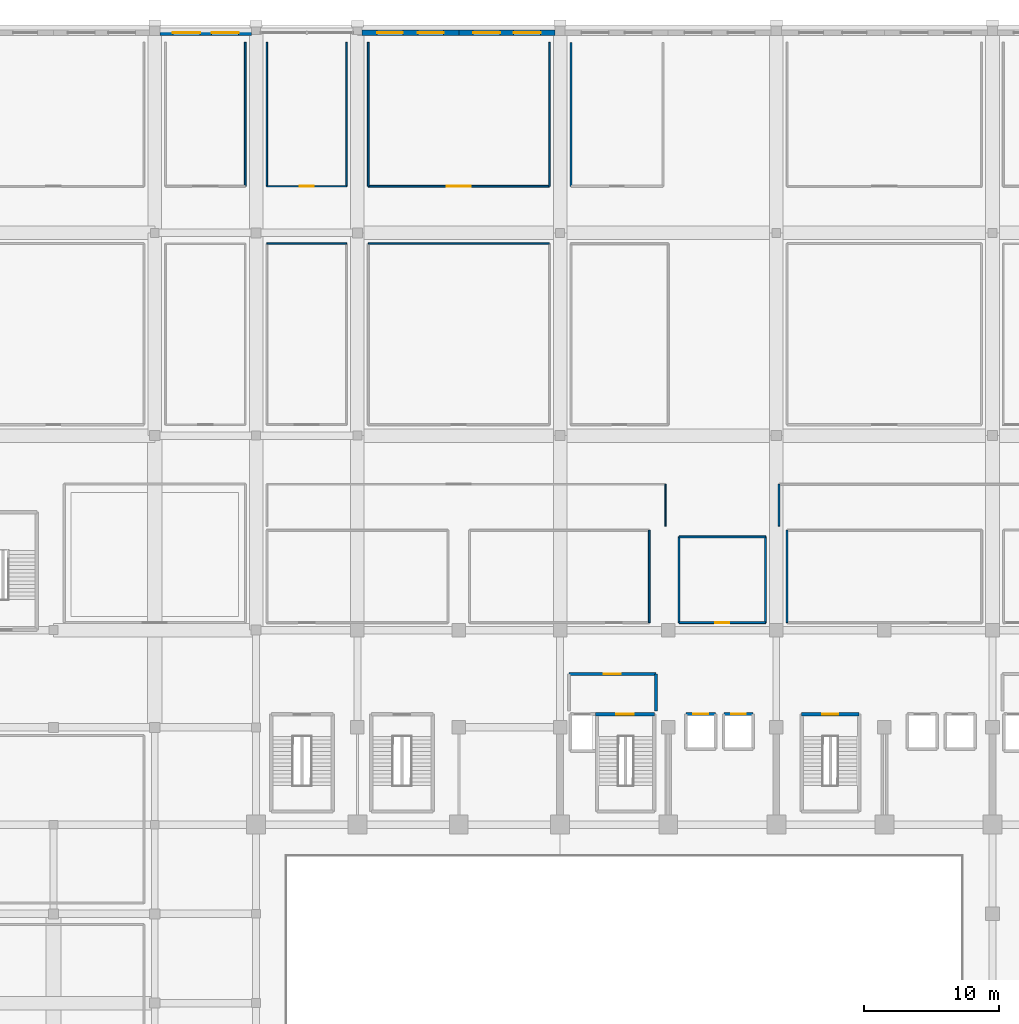
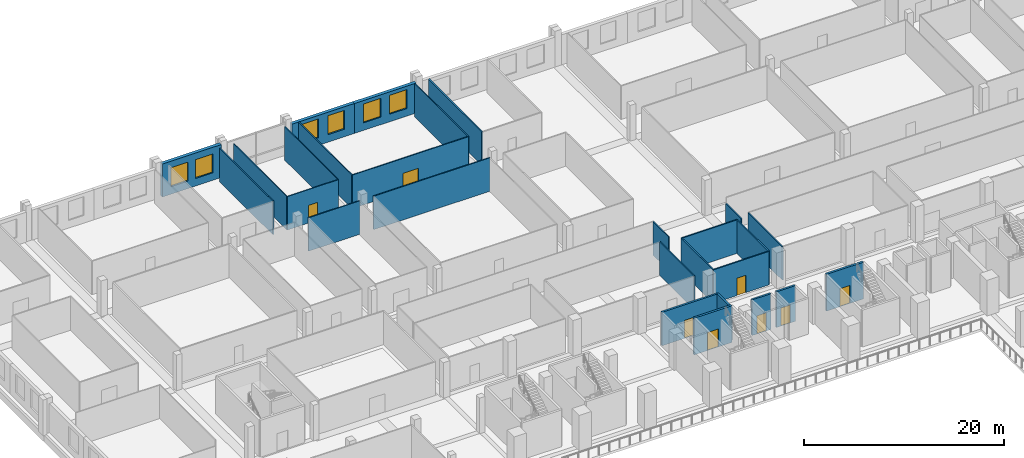
# One storey, part 46 of 64: 27 walls, 8 doors, 6 windows, 14 openings.
"""IFC4 building model written with IfcOpenShell, lengths in metres."""

from ifc_helpers import new_model, si_unit, direction, frame, frame_2d, origin, place, context, subcontext, project, spatial, rectangle, extrude, material, layer, layer_set, type_object, element, fill, save


model = new_model("IFC4")

# Units and contexts
model_context = context("Model", 3, precision=1e-05, world=origin(), true_north=direction((0.0, 1.0)))
body_context = subcontext(model_context, "Body", "Model", "MODEL_VIEW")
ifc_project = project(units=[si_unit("LENGTHUNIT", "METRE"), si_unit("AREAUNIT", "SQUARE_METRE"), si_unit("VOLUMEUNIT", "CUBIC_METRE"), si_unit("PLANEANGLEUNIT", "RADIAN"), si_unit("MASSUNIT", "GRAM", prefix="KILO")], contexts=[model_context])

# Site, building, storey
site_placement = place(None, origin())
site = spatial("IfcSite", under=ifc_project, at=site_placement, CompositionType="ELEMENT")
building_placement = place(site_placement, origin())
building = spatial("IfcBuilding", under=site, at=building_placement, Name="Akrevak Sports Hall", CompositionType="ELEMENT")
storey_placement = place(building_placement, frame((0.0, 0.0, 4.60009765625)))
storey = spatial("IfcBuildingStorey", under=building, at=storey_placement, Name="L01", CompositionType="ELEMENT", Elevation=4.60009765625)

# Wall, openings, windows
ifc_material_1 = material(Name="Limestone Ashlar", Category="stone")
ifc_layer_1 = layer(ifc_material_1, 0.080078125, Name="Limestone Ashlar")
ifc_material_2 = material(Name="Mineral Wool Thermal Insulation", Category="insulation")
ifc_layer_2 = layer(ifc_material_2, 0.10009765625, Name="Mineral Wool Thermal Insulation")
ifc_material_3 = material(Name="Concrete C40/50", Category="concrete")
ifc_layer_3 = layer(ifc_material_3, 0.199951171875, Name="Concrete C40/50")
ifc_layer_set_1 = layer_set([ifc_layer_1, ifc_layer_2, ifc_layer_3], Name="Limestone Ashlar / Mineral Wool Thermal Insulation / Concrete C40/50")
wall_type_1 = type_object("IfcWallType", Name="ARC-WL-EXT-380", PredefinedType="SOLIDWALL", material=ifc_layer_set_1)
wall_1_placement = place(storey_placement, frame((37.175048828125, 113.81005859375, 0.0), z_axis=(0.0, 0.0, 1.0), x_axis=(-1.0, 0.0, 0.0)))
wall_1 = element("IfcWall", 1, at=wall_1_placement, inside=storey, type_object=wall_type_1, Name="Exterior Limestone Wall L01-N05", PredefinedType="SOLIDWALL", context=body_context, shape_type="SweptSolid", body=[
    extrude(rectangle(XDim=6.800048828125, YDim=0.3798828125, at=frame_2d((3.39990234375, 0.0))), origin(), (0.0, 0.0, 1.0), 4.02001953125),
])
opening_1_placement = place(wall_1_placement, frame((3.827880859375, 0.0, 0.919921875)))
opening_1 = element("IfcOpeningElement", 2, at=opening_1_placement, cuts=wall_1, Name="Opening WN-29", PredefinedType="OPENING", context=body_context, shape_type="SweptSolid", body=[
    extrude(rectangle(XDim=2.0, YDim=2.300048828125, at=frame_2d((1.0, 1.14990234375))), frame((0.0, 0.201904296875, 0.0), z_axis=(0.0, -1.0, 0.0), x_axis=(1.0, 0.0, 0.0)), (0.0, 0.0, 1.0), 0.40380859375),
])
opening_2_placement = place(wall_1_placement, frame((0.971923828125, 0.0, 0.919921875)))
opening_2 = element("IfcOpeningElement", 3, at=opening_2_placement, cuts=wall_1, Name="Opening WN-29", PredefinedType="OPENING", context=body_context, shape_type="SweptSolid", body=[
    extrude(rectangle(XDim=2.0, YDim=2.300048828125, at=frame_2d((1.0, 1.14990234375))), frame((0.0, 0.201904296875, 0.0), z_axis=(0.0, -1.0, 0.0), x_axis=(1.0, 0.0, 0.0)), (0.0, 0.0, 1.0), 0.40380859375),
])
ifc_material_4 = material(Name="Thermally Broken Bronze Frame & Double Low-E Glass", Category="glass")
window_type_1 = type_object("IfcWindowType", Name="ARC-WIN-SZ-2000x2300", PartitioningType="SINGLE_PANEL", PredefinedType="WINDOW", material=ifc_material_4)
window_1_placement = place(opening_1_placement, origin())
window_1 = element("IfcWindow", 4, at=window_1_placement, inside=storey, type_object=window_type_1, Name="Beaux-Arts Facade Window WIN-L01-N05-1", OverallHeight=2.300048828125, OverallWidth=2.0, PartitioningType="SINGLE_PANEL", PredefinedType="WINDOW", context=body_context, shape_type="SweptSolid", body=[
    extrude(rectangle(XDim=2.0, YDim=2.300048828125, at=frame_2d((1.0, 1.14990234375))), frame((0.0, 0.030029296875, 0.0), z_axis=(0.0, -1.0, 0.0), x_axis=(1.0, 0.0, 0.0)), (0.0, 0.0, 1.0), 0.06005859375),
])
fill(opening_1, window_1)
window_2_placement = place(opening_2_placement, origin())
window_2 = element("IfcWindow", 5, at=window_2_placement, inside=storey, type_object=window_type_1, Name="Beaux-Arts Facade Window WIN-L01-N05-2", OverallHeight=2.300048828125, OverallWidth=2.0, PartitioningType="SINGLE_PANEL", PredefinedType="WINDOW", context=body_context, shape_type="SweptSolid", body=[
    extrude(rectangle(XDim=2.0, YDim=2.300048828125, at=frame_2d((1.0, 1.14990234375))), frame((0.0, 0.030029296875, 0.0), z_axis=(0.0, -1.0, 0.0), x_axis=(1.0, 0.0, 0.0)), (0.0, 0.0, 1.0), 0.06005859375),
])
fill(opening_2, window_2)

wall_2_placement = place(storey_placement, frame((52.5, 113.81005859375, 0.0), z_axis=(0.0, 0.0, 1.0), x_axis=(-1.0, 0.0, 0.0)))
wall_2 = element("IfcWall", 6, at=wall_2_placement, inside=storey, type_object=wall_type_1, Name="Exterior Limestone Wall L01-N07", PredefinedType="SOLIDWALL", context=body_context, shape_type="SweptSolid", body=[
    extrude(rectangle(XDim=7.175048828125, YDim=0.3798828125, at=frame_2d((3.58740234375, 0.0))), origin(), (0.0, 0.0, 1.0), 3.64990234375),
])
opening_3_placement = place(wall_2_placement, frame((4.144287109375, 0.0, 0.919921875)))
opening_3 = element("IfcOpeningElement", 7, at=opening_3_placement, cuts=wall_2, Name="Opening WN-30", PredefinedType="OPENING", context=body_context, shape_type="SweptSolid", body=[
    extrude(rectangle(XDim=1.89990234375, YDim=2.300048828125, at=frame_2d((0.949951171875, 1.14990234375))), frame((0.0, 0.201904296875, 0.0), z_axis=(0.0, -1.0, 0.0), x_axis=(1.0, 0.0, 0.0)), (0.0, 0.0, 1.0), 0.40380859375),
])
opening_4_placement = place(wall_2_placement, frame((1.130615234375, 0.0, 0.919921875)))
opening_4 = element("IfcOpeningElement", 8, at=opening_4_placement, cuts=wall_2, Name="Opening WN-30", PredefinedType="OPENING", context=body_context, shape_type="SweptSolid", body=[
    extrude(rectangle(XDim=1.89990234375, YDim=2.300048828125, at=frame_2d((0.949951171875, 1.14990234375))), frame((0.0, 0.201904296875, 0.0), z_axis=(0.0, -1.0, 0.0), x_axis=(1.0, 0.0, 0.0)), (0.0, 0.0, 1.0), 0.40380859375),
])
window_type_2 = type_object("IfcWindowType", Name="ARC-WIN-SZ-1900x2300", PartitioningType="SINGLE_PANEL", PredefinedType="WINDOW", material=ifc_material_4)
window_3_placement = place(opening_3_placement, origin())
window_3 = element("IfcWindow", 9, at=window_3_placement, inside=storey, type_object=window_type_2, Name="Beaux-Arts Facade Window WIN-L01-N07-1", OverallHeight=2.300048828125, OverallWidth=1.89990234375, PartitioningType="SINGLE_PANEL", PredefinedType="WINDOW", context=body_context, shape_type="SweptSolid", body=[
    extrude(rectangle(XDim=1.89990234375, YDim=2.300048828125, at=frame_2d((0.949951171875, 1.14990234375))), frame((0.0, 0.030029296875, 0.0), z_axis=(0.0, -1.0, 0.0), x_axis=(1.0, 0.0, 0.0)), (0.0, 0.0, 1.0), 0.06005859375),
])
fill(opening_3, window_3)
window_4_placement = place(opening_4_placement, origin())
window_4 = element("IfcWindow", 10, at=window_4_placement, inside=storey, type_object=window_type_2, Name="Beaux-Arts Facade Window WIN-L01-N07-2", OverallHeight=2.300048828125, OverallWidth=1.89990234375, PartitioningType="SINGLE_PANEL", PredefinedType="WINDOW", context=body_context, shape_type="SweptSolid", body=[
    extrude(rectangle(XDim=1.89990234375, YDim=2.300048828125, at=frame_2d((0.949951171875, 1.14990234375))), frame((0.0, 0.030029296875, 0.0), z_axis=(0.0, -1.0, 0.0), x_axis=(1.0, 0.0, 0.0)), (0.0, 0.0, 1.0), 0.06005859375),
])
fill(opening_4, window_4)

wall_3_placement = place(storey_placement, frame((59.625, 113.81005859375, 0.0), z_axis=(0.0, 0.0, 1.0), x_axis=(-1.0, 0.0, 0.0)))
wall_3 = element("IfcWall", 11, at=wall_3_placement, inside=storey, type_object=wall_type_1, Name="Exterior Limestone Wall L01-N08", PredefinedType="SOLIDWALL", context=body_context, shape_type="SweptSolid", body=[
    extrude(rectangle(XDim=7.125, YDim=0.3798828125, at=frame_2d((3.5625, 0.0))), origin(), (0.0, 0.0, 1.0), 3.64990234375),
])
opening_5_placement = place(wall_3_placement, frame((4.058837890625, 0.0, 0.919921875)))
opening_5 = element("IfcOpeningElement", 12, at=opening_5_placement, cuts=wall_3, Name="Opening WN-29", PredefinedType="OPENING", context=body_context, shape_type="SweptSolid", body=[
    extrude(rectangle(XDim=2.0, YDim=2.300048828125, at=frame_2d((1.0, 1.14990234375))), frame((0.0, 0.201904296875, 0.0), z_axis=(0.0, -1.0, 0.0), x_axis=(1.0, 0.0, 0.0)), (0.0, 0.0, 1.0), 0.40380859375),
])
opening_6_placement = place(wall_3_placement, frame((1.066162109375, 0.0, 0.919921875)))
opening_6 = element("IfcOpeningElement", 13, at=opening_6_placement, cuts=wall_3, Name="Opening WN-29", PredefinedType="OPENING", context=body_context, shape_type="SweptSolid", body=[
    extrude(rectangle(XDim=2.0, YDim=2.300048828125, at=frame_2d((1.0, 1.14990234375))), frame((0.0, 0.201904296875, 0.0), z_axis=(0.0, -1.0, 0.0), x_axis=(1.0, 0.0, 0.0)), (0.0, 0.0, 1.0), 0.40380859375),
])
window_5_placement = place(opening_5_placement, origin())
window_5 = element("IfcWindow", 14, at=window_5_placement, inside=storey, type_object=window_type_1, Name="Beaux-Arts Facade Window WIN-L01-N08-1", OverallHeight=2.300048828125, OverallWidth=2.0, PartitioningType="SINGLE_PANEL", PredefinedType="WINDOW", context=body_context, shape_type="SweptSolid", body=[
    extrude(rectangle(XDim=2.0, YDim=2.300048828125, at=frame_2d((1.0, 1.14990234375))), frame((0.0, 0.030029296875, 0.0), z_axis=(0.0, -1.0, 0.0), x_axis=(1.0, 0.0, 0.0)), (0.0, 0.0, 1.0), 0.06005859375),
])
fill(opening_5, window_5)
window_6_placement = place(opening_6_placement, origin())
window_6 = element("IfcWindow", 15, at=window_6_placement, inside=storey, type_object=window_type_1, Name="Beaux-Arts Facade Window WIN-L01-N08-2", OverallHeight=2.300048828125, OverallWidth=2.0, PartitioningType="SINGLE_PANEL", PredefinedType="WINDOW", context=body_context, shape_type="SweptSolid", body=[
    extrude(rectangle(XDim=2.0, YDim=2.300048828125, at=frame_2d((1.0, 1.14990234375))), frame((0.0, 0.030029296875, 0.0), z_axis=(0.0, -1.0, 0.0), x_axis=(1.0, 0.0, 0.0)), (0.0, 0.0, 1.0), 0.06005859375),
])
fill(opening_6, window_6)

# Wall, opening, door
ifc_material_5 = material(Name="Sanitary Cubicle Partition", Category="gypsum")
ifc_layer_4 = layer(ifc_material_5, 0.10009765625, Name="Sanitary Cubicle Partition")
ifc_layer_set_2 = layer_set([ifc_layer_4], Name="Sanitary Cubicle Partition")
wall_type_2 = type_object("IfcWallType", Name="ARC-WL-PRT-100", PredefinedType="PARTITIONING", material=ifc_layer_set_2)
wall_4_placement = place(storey_placement, frame((38.300048828125, 102.449951171875, 0.0), z_axis=(0.0, 0.0, 1.0), x_axis=(1.0, 0.0, 0.0)))
wall_4 = element("IfcWall", 16, at=wall_4_placement, inside=storey, type_object=wall_type_2, Name="Interior Partition Federation Officiating & Records Office L01-4 (S)", PredefinedType="PARTITIONING", context=body_context, shape_type="SweptSolid", body=[
    extrude(rectangle(XDim=5.89990234375, YDim=0.10009765625, at=frame_2d((2.949951171875, 0.0))), origin(), (0.0, 0.0, 1.0), 4.079833984375),
])
opening_7_placement = place(wall_4_placement, frame((2.425048828125, 0.0, 0.0)))
opening_7 = element("IfcOpeningElement", 17, at=opening_7_placement, cuts=wall_4, Name="Opening ID-05", PredefinedType="OPENING", context=body_context, shape_type="SweptSolid", body=[
    extrude(rectangle(XDim=1.050048828125, YDim=2.14990234375, at=frame_2d((0.52490234375, 1.074951171875))), frame((0.0, 0.06201171875, 0.0), z_axis=(0.0, -1.0, 0.0), x_axis=(1.0, 0.0, 0.0)), (0.0, 0.0, 1.0), 0.1240234375),
])
ifc_material_6 = material(Name="Hardwood Oak Acoustic Leaf", Category="wood")
door_type_1 = type_object("IfcDoorType", Name="ARC-DR-OFF-105x215", OperationType="NOTDEFINED", PredefinedType="DOOR", material=ifc_material_6)
door_1_placement = place(opening_7_placement, origin())
door_1 = element("IfcDoor", 18, at=door_1_placement, inside=storey, type_object=door_type_1, Name="Door to Federation Officiating & Records Office L01-4", OperationType="SINGLE_SWING_LEFT", OverallHeight=2.14990234375, OverallWidth=1.050048828125, PredefinedType="DOOR", context=body_context, shape_type="SweptSolid", body=[
    extrude(rectangle(XDim=1.050048828125, YDim=2.14990234375, at=frame_2d((0.52490234375, 1.074951171875))), frame((0.0, 0.02490234375, 0.0), z_axis=(0.0, -1.0, 0.0), x_axis=(1.0, 0.0, 0.0)), (0.0, 0.0, 1.0), 0.050048828125),
])
fill(opening_7, door_1)

# Walls
for number, where, z_axis, x_axis, name in (
    (19, (38.300048828125, 102.449951171875, 0.0), (0.0, 0.0, 1.0), (0.0, 1.0, 0.0), "Interior Partition Federation Officiating & Records Office L01-4 (W)"),
    (20, (44.199951171875, 102.449951171875, 0.0), (0.0, 0.0, 1.0), (0.0, 1.0, 0.0), "Interior Partition Federation Officiating & Records Office L01-4 (E)"),
):
    element("IfcWall", number, at=place(storey_placement, frame(where, z_axis=z_axis, x_axis=x_axis)), inside=storey, type_object=wall_type_2, Name=name, PredefinedType="PARTITIONING", context=body_context, shape_type="SweptSolid", body=[
        extrude(rectangle(XDim=10.650146484375, YDim=0.10009765625, at=frame_2d((5.3251953125, 0.0))), origin(), (0.0, 0.0, 1.0), 4.079833984375),
    ])
wall_5_placement = place(storey_placement, frame((67.800048828125, 77.300048828125, 0.0), z_axis=(0.0, 0.0, 1.0), x_axis=(0.0, 1.0, 0.0)))
element("IfcWall", 21, at=wall_5_placement, inside=storey, type_object=wall_type_2, Name="Interior Partition North Concourse Equipment Storage L01 (E)", PredefinedType="PARTITIONING", context=body_context, shape_type="SweptSolid", body=[
    extrude(rectangle(XDim=3.099853515625, YDim=0.10009765625, at=frame_2d((1.5498046875, 0.0))), origin(), (0.0, 0.0, 1.0), 4.079833984375),
])
ifc_material_7 = material(Name="Lightweight Office Partition", Category="gypsum")
ifc_layer_5 = layer(ifc_material_7, 0.110107421875, Name="Lightweight Office Partition")
ifc_layer_set_3 = layer_set([ifc_layer_5], Name="Lightweight Office Partition")
wall_type_3 = type_object("IfcWallType", Name="ARC-WL-PRT-110", PredefinedType="PARTITIONING", material=ifc_layer_set_3)
wall_6_placement = place(storey_placement, frame((38.300048828125, 98.199951171875, 0.0), z_axis=(0.0, 0.0, 1.0), x_axis=(1.0, 0.0, 0.0)))
element("IfcWall", 22, at=wall_6_placement, inside=storey, type_object=wall_type_3, Name="Interior Partition Athletic Gear & Equipment Storage L01-4 (N)", PredefinedType="PARTITIONING", context=body_context, shape_type="SweptSolid", body=[
    extrude(rectangle(XDim=5.89990234375, YDim=0.110107421875, at=frame_2d((2.949951171875, 0.0))), origin(), (0.0, 0.0, 1.0), 4.079833984375),
])
ifc_material_8 = material(Name="Standard Metal Stud Partition", Category="gypsum")
ifc_layer_6 = layer(ifc_material_8, 0.1201171875, Name="Standard Metal Stud Partition")
ifc_layer_set_4 = layer_set([ifc_layer_6], Name="Standard Metal Stud Partition")
wall_type_4 = type_object("IfcWallType", Name="ARC-WL-PRT-120", PredefinedType="PARTITIONING", material=ifc_layer_set_4)
wall_7_placement = place(storey_placement, frame((45.800048828125, 98.199951171875, 0.0), z_axis=(0.0, 0.0, 1.0), x_axis=(1.0, 0.0, 0.0)))
element("IfcWall", 23, at=wall_7_placement, inside=storey, type_object=wall_type_4, Name="Interior Partition Sports Federation Training Office L01-5 (N)", PredefinedType="PARTITIONING", context=body_context, shape_type="SweptSolid", body=[
    extrude(rectangle(XDim=13.39990234375, YDim=0.1201171875, at=frame_2d((6.699951171875, 0.0))), origin(), (0.0, 0.0, 1.0), 4.079833984375),
])

# Wall, opening, door
wall_8_placement = place(storey_placement, frame((45.800048828125, 102.449951171875, 0.0), z_axis=(0.0, 0.0, 1.0), x_axis=(1.0, 0.0, 0.0)))
wall_8 = element("IfcWall", 24, at=wall_8_placement, inside=storey, type_object=wall_type_4, Name="Interior Partition Competition Equipment Storage L01-5 (S)", PredefinedType="PARTITIONING", context=body_context, shape_type="SweptSolid", body=[
    extrude(rectangle(XDim=13.39990234375, YDim=0.1201171875, at=frame_2d((6.699951171875, 0.0))), origin(), (0.0, 0.0, 1.0), 4.079833984375),
])
opening_8_placement = place(wall_8_placement, frame((5.800048828125, 0.0, 0.0)))
opening_8 = element("IfcOpeningElement", 25, at=opening_8_placement, cuts=wall_8, Name="Opening ID-02", PredefinedType="OPENING", context=body_context, shape_type="SweptSolid", body=[
    extrude(rectangle(XDim=1.800048828125, YDim=2.25, at=frame_2d((0.89990234375, 1.125))), frame((0.0, 0.072021484375, 0.0), z_axis=(0.0, -1.0, 0.0), x_axis=(1.0, 0.0, 0.0)), (0.0, 0.0, 1.0), 0.14404296875),
])
ifc_material_9 = material(Name="Hardwood Oak & Safety Glass", Category="wood")
door_type_2 = type_object("IfcDoorType", Name="ARC-DR-HALL-180x225", OperationType="DOUBLE_DOOR_SINGLE_SWING", PredefinedType="DOOR", material=ifc_material_9)
door_2_placement = place(opening_8_placement, origin())
door_2 = element("IfcDoor", 26, at=door_2_placement, inside=storey, type_object=door_type_2, Name="Door to Competition Equipment Storage L01-5", OperationType="DOUBLE_DOOR_SINGLE_SWING", OverallHeight=2.25, OverallWidth=1.800048828125, PredefinedType="DOOR", context=body_context, shape_type="SweptSolid", body=[
    extrude(rectangle(XDim=1.800048828125, YDim=2.25, at=frame_2d((0.89990234375, 1.125))), frame((0.0, 0.02490234375, 0.0), z_axis=(0.0, -1.0, 0.0), x_axis=(1.0, 0.0, 0.0)), (0.0, 0.0, 1.0), 0.050048828125),
])
fill(opening_8, door_2)

# Walls
for number, where, z_axis, x_axis, name in (
    (27, (45.800048828125, 102.449951171875, 0.0), (0.0, 0.0, 1.0), (0.0, 1.0, 0.0), "Interior Partition Competition Equipment Storage L01-5 (W)"),
    (28, (59.199951171875, 102.449951171875, 0.0), (0.0, 0.0, 1.0), (0.0, 1.0, 0.0), "Interior Partition Competition Equipment Storage L01-5 (E)"),
):
    element("IfcWall", number, at=place(storey_placement, frame(where, z_axis=z_axis, x_axis=x_axis)), inside=storey, type_object=wall_type_4, Name=name, PredefinedType="PARTITIONING", context=body_context, shape_type="SweptSolid", body=[
        extrude(rectangle(XDim=10.650146484375, YDim=0.1201171875, at=frame_2d((5.3251953125, 0.0))), origin(), (0.0, 0.0, 1.0), 4.079833984375),
    ])
wall_9_placement = place(storey_placement, frame((76.199951171875, 77.300048828125, 0.0), z_axis=(0.0, 0.0, 1.0), x_axis=(0.0, 1.0, 0.0)))
element("IfcWall", 29, at=wall_9_placement, inside=storey, type_object=wall_type_4, Name="Interior Partition North-East Concourse Gear Storage L01 (W)", PredefinedType="PARTITIONING", context=body_context, shape_type="SweptSolid", body=[
    extrude(rectangle(XDim=3.099853515625, YDim=0.1201171875, at=frame_2d((1.5498046875, 0.0))), origin(), (0.0, 0.0, 1.0), 3.349853515625),
])
ifc_material_10 = material(Name="Acoustic Metal Stud Partition", Category="gypsum")
ifc_layer_7 = layer(ifc_material_10, 0.1298828125, Name="Acoustic Metal Stud Partition")
ifc_layer_set_5 = layer_set([ifc_layer_7], Name="Acoustic Metal Stud Partition")
wall_type_5 = type_object("IfcWallType", Name="ARC-WL-PRT-130", PredefinedType="PARTITIONING", material=ifc_layer_set_5)
for number, where, z_axis, x_axis, name in (
    (30, (66.60009765625, 70.14990234375, 0.0), (0.0, 0.0, 1.0), (0.0, 1.0, 0.0), "Interior Partition Changing Room 7 - Fitness Men (E)"),
    (31, (76.800048828125, 70.14990234375, 0.0), (0.0, 0.0, 1.0), (0.0, 1.0, 0.0), "Interior Partition Changing Room 8 - Fitness Women (W)"),
):
    element("IfcWall", number, at=place(storey_placement, frame(where, z_axis=z_axis, x_axis=x_axis)), inside=storey, type_object=wall_type_5, Name=name, PredefinedType="PARTITIONING", context=body_context, shape_type="SweptSolid", body=[
        extrude(rectangle(XDim=6.85009765625, YDim=0.1298828125, at=frame_2d((3.425048828125, 0.0))), origin(), (0.0, 0.0, 1.0), 4.079833984375),
    ])
wall_10_placement = place(storey_placement, frame((36.699951171875, 102.449951171875, 0.0), z_axis=(0.0, 0.0, 1.0), x_axis=(0.0, 1.0, 0.0)))
element("IfcWall", 32, at=wall_10_placement, inside=storey, type_object=wall_type_5, Name="Interior Partition Competition Equipment Storage L01-3 (E)", PredefinedType="PARTITIONING", context=body_context, shape_type="SweptSolid", body=[
    extrude(rectangle(XDim=10.650146484375, YDim=0.1298828125, at=frame_2d((5.3251953125, 0.0))), origin(), (0.0, 0.0, 1.0), 4.079833984375),
])

# Wall, opening, door
ifc_material_11 = material(Name="Moisture-Resistant Wet-Area Partition", Category="gypsum")
ifc_layer_8 = layer(ifc_material_11, 0.139892578125, Name="Moisture-Resistant Wet-Area Partition")
ifc_layer_set_6 = layer_set([ifc_layer_8], Name="Moisture-Resistant Wet-Area Partition")
wall_type_6 = type_object("IfcWallType", Name="ARC-WL-PRT-140", PredefinedType="PARTITIONING", material=ifc_layer_set_6)
wall_11_placement = place(storey_placement, frame((68.800048828125, 70.14990234375, 0.0), z_axis=(0.0, 0.0, 1.0), x_axis=(1.0, 0.0, 0.0)))
wall_11 = element("IfcWall", 33, at=wall_11_placement, inside=storey, type_object=wall_type_6, Name="Interior Partition Concourse Accessible WC L01 (S)", PredefinedType="PARTITIONING", context=body_context, shape_type="SweptSolid", body=[
    extrude(rectangle(XDim=6.39990234375, YDim=0.139892578125, at=frame_2d((3.199951171875, 0.0))), origin(), (0.0, 0.0, 1.0), 4.079833984375),
])
opening_9_placement = place(wall_11_placement, frame((2.68994140625, 0.0, 0.0)))
opening_9 = element("IfcOpeningElement", 34, at=opening_9_placement, cuts=wall_11, Name="Opening ID-09", PredefinedType="OPENING", context=body_context, shape_type="SweptSolid", body=[
    extrude(rectangle(XDim=1.02001953125, YDim=2.10009765625, at=frame_2d((0.510009765625, 1.050048828125))), frame((0.0, 0.08203125, 0.0), z_axis=(0.0, -1.0, 0.0), x_axis=(1.0, 0.0, 0.0)), (0.0, 0.0, 1.0), 0.163818359375),
])
ifc_material_12 = material(Name="High-Pressure Laminate & Aluminium", Category="aluminium")
door_type_3 = type_object("IfcDoorType", Name="ARC-DR-AWC-102x210", OperationType="NOTDEFINED", PredefinedType="DOOR", material=ifc_material_12)
door_3_placement = place(opening_9_placement, origin())
door_3 = element("IfcDoor", 35, at=door_3_placement, inside=storey, type_object=door_type_3, Name="Door to Concourse Accessible WC L01", OperationType="SINGLE_SWING_LEFT", OverallHeight=2.10009765625, OverallWidth=1.02001953125, PredefinedType="DOOR", context=body_context, shape_type="SweptSolid", body=[
    extrude(rectangle(XDim=1.02001953125, YDim=2.10009765625, at=frame_2d((0.510009765625, 1.050048828125))), frame((0.0, 0.02490234375, 0.0), z_axis=(0.0, -1.0, 0.0), x_axis=(1.0, 0.0, 0.0)), (0.0, 0.0, 1.0), 0.050048828125),
])
fill(opening_9, door_3)

# Walls
wall_12_placement = place(storey_placement, frame((68.800048828125, 76.5, 0.0), z_axis=(0.0, 0.0, 1.0), x_axis=(1.0, 0.0, 0.0)))
element("IfcWall", 36, at=wall_12_placement, inside=storey, type_object=wall_type_6, Name="Interior Partition Concourse Accessible WC L01 (N)", PredefinedType="PARTITIONING", context=body_context, shape_type="SweptSolid", body=[
    extrude(rectangle(XDim=6.39990234375, YDim=0.139892578125, at=frame_2d((3.199951171875, 0.0))), origin(), (0.0, 0.0, 1.0), 4.079833984375),
])
for number, where, z_axis, x_axis, name in (
    (37, (68.800048828125, 70.14990234375, 0.0), (0.0, 0.0, 1.0), (0.0, 1.0, 0.0), "Interior Partition Concourse Accessible WC L01 (W)"),
    (38, (75.199951171875, 70.14990234375, 0.0), (0.0, 0.0, 1.0), (0.0, 1.0, 0.0), "Interior Partition Concourse Accessible WC L01 (E)"),
):
    element("IfcWall", number, at=place(storey_placement, frame(where, z_axis=z_axis, x_axis=x_axis)), inside=storey, type_object=wall_type_6, Name=name, PredefinedType="PARTITIONING", context=body_context, shape_type="SweptSolid", body=[
        extrude(rectangle(XDim=6.35009765625, YDim=0.139892578125, at=frame_2d((3.175048828125, 0.0))), origin(), (0.0, 0.0, 1.0), 4.079833984375),
    ])
ifc_material_13 = material(Name="Double Stud Acoustic Gypsum Partition", Category="gypsum")
ifc_layer_9 = layer(ifc_material_13, 0.14990234375, Name="Double Stud Acoustic Gypsum Partition")
ifc_layer_set_7 = layer_set([ifc_layer_9], Name="Double Stud Acoustic Gypsum Partition")
wall_type_7 = type_object("IfcWallType", Name="ARC-WL-PRT-150", PredefinedType="PARTITIONING", material=ifc_layer_set_7)
wall_13_placement = place(storey_placement, frame((60.800048828125, 102.449951171875, 0.0), z_axis=(0.0, 0.0, 1.0), x_axis=(0.0, 1.0, 0.0)))
element("IfcWall", 39, at=wall_13_placement, inside=storey, type_object=wall_type_7, Name="Interior Partition Federation Officiating & Records Office L01-6 (W)", PredefinedType="PARTITIONING", context=body_context, shape_type="SweptSolid", body=[
    extrude(rectangle(XDim=10.650146484375, YDim=0.14990234375, at=frame_2d((5.3251953125, 0.0))), origin(), (0.0, 0.0, 1.0), 4.079833984375),
])

# Wall, opening, door
ifc_layer_10 = layer(ifc_material_3, 0.219970703125, Name="Concrete C40/50")
ifc_layer_set_8 = layer_set([ifc_layer_10], Name="Concrete C40/50")
wall_type_8 = type_object("IfcWallType", Name="ARC-WL-PRT-220", PredefinedType="PARTITIONING", material=ifc_layer_set_8)
wall_14_placement = place(storey_placement, frame((60.64990234375, 66.35009765625, 0.0), z_axis=(0.0, 0.0, 1.0), x_axis=(1.0, 0.0, 0.0)))
wall_14 = element("IfcWall", 40, at=wall_14_placement, inside=storey, type_object=wall_type_8, Name="Interior Partition Firefighting Lobby West L01 (N)", PredefinedType="PARTITIONING", context=body_context, shape_type="SweptSolid", body=[
    extrude(rectangle(XDim=6.4501953125, YDim=0.219970703125, at=frame_2d((3.22509765625, 0.0))), origin(), (0.0, 0.0, 1.0), 4.079833984375),
])
opening_10_placement = place(wall_14_placement, frame((2.574951171875, 0.0, 0.0)))
opening_10 = element("IfcOpeningElement", 41, at=opening_10_placement, cuts=wall_14, Name="Opening FD-01", PredefinedType="OPENING", context=body_context, shape_type="SweptSolid", body=[
    extrude(rectangle(XDim=1.25, YDim=2.199951171875, at=frame_2d((0.625, 1.10009765625))), frame((0.0, 0.1220703125, 0.0), z_axis=(0.0, -1.0, 0.0), x_axis=(1.0, 0.0, 0.0)), (0.0, 0.0, 1.0), 0.243896484375),
])
ifc_material_14 = material(Name="Fire-Rated Galvanized Door Steel", Category="steel")
door_type_4 = type_object("IfcDoorType", Name="ARC-DR-FFL-125x220", OperationType="NOTDEFINED", PredefinedType="DOOR", material=ifc_material_14)
door_4_placement = place(opening_10_placement, frame((1.25, 0.0, 0.0), z_axis=(0.0, 0.0, 1.0), x_axis=(-1.0, 0.0, 0.0)))
door_4 = element("IfcDoor", 42, at=door_4_placement, inside=storey, type_object=door_type_4, Name="Door to Firefighting Lobby West L01", OperationType="SINGLE_SWING_LEFT", OverallHeight=2.199951171875, OverallWidth=1.25, PredefinedType="DOOR", context=body_context, shape_type="SweptSolid", body=[
    extrude(rectangle(XDim=1.25, YDim=2.199951171875, at=frame_2d((0.625, 1.10009765625))), frame((0.0, 0.02490234375, 0.0), z_axis=(0.0, -1.0, 0.0), x_axis=(1.0, 0.0, 0.0)), (0.0, 0.0, 1.0), 0.050048828125),
])
fill(opening_10, door_4)

# Wall
wall_15_placement = place(storey_placement, frame((67.10009765625, 63.60009765625, 0.0), z_axis=(0.0, 0.0, 1.0), x_axis=(0.0, 1.0, 0.0)))
element("IfcWall", 43, at=wall_15_placement, inside=storey, type_object=wall_type_8, Name="Interior Partition Firefighting Lobby West L01 (E)", PredefinedType="PARTITIONING", context=body_context, shape_type="SweptSolid", body=[
    extrude(rectangle(XDim=2.75, YDim=0.219970703125, at=frame_2d((1.375, 0.0))), origin(), (0.0, 0.0, 1.0), 4.079833984375),
])

# Wall, opening, door
ifc_material_15 = material(Name="Concrete C50/60", Category="concrete")
ifc_layer_11 = layer(ifc_material_15, 0.219970703125, Name="Concrete C50/60")
ifc_layer_set_9 = layer_set([ifc_layer_11], Name="Concrete C50/60")
wall_type_9 = type_object("IfcWallType", Name="ARC-WL-SHAFT-220", PredefinedType="SHEAR", material=ifc_layer_set_9)
wall_16_placement = place(storey_placement, frame((71.489990234375, 63.389892578125, 0.0), z_axis=(0.0, 0.0, 1.0), x_axis=(-1.0, 0.0, 0.0)))
wall_16 = element("IfcWall", 44, at=wall_16_placement, inside=storey, type_object=wall_type_9, Name="Lift Shaft LF-P1 Wall N (L01)", PredefinedType="SHEAR", context=body_context, shape_type="SweptSolid", body=[
    extrude(rectangle(XDim=2.179931640625, YDim=0.219970703125, at=frame_2d((1.08984375, 0.0))), origin(), (0.0, 0.0, 1.0), 4.349853515625),
])
opening_11_placement = place(wall_16_placement, frame((0.5400390625, 0.0, 0.0)))
opening_11 = element("IfcOpeningElement", 45, at=opening_11_placement, cuts=wall_16, Name="Opening LD-01", PredefinedType="OPENING", context=body_context, shape_type="SweptSolid", body=[
    extrude(rectangle(XDim=1.10009765625, YDim=2.199951171875, at=frame_2d((0.550048828125, 1.10009765625))), frame((0.0, 0.1220703125, 0.0), z_axis=(0.0, -1.0, 0.0), x_axis=(1.0, 0.0, 0.0)), (0.0, 0.0, 1.0), 0.243896484375),
])
ifc_material_16 = material(Name="Brushed Stainless Steel 304", Category="steel")
door_type_5 = type_object("IfcDoorType", Name="ARC-DR-LD-110x220", OperationType="SLIDING_TO_LEFT", PredefinedType="DOOR", material=ifc_material_16)
door_5_placement = place(opening_11_placement, origin())
door_5 = element("IfcDoor", 46, at=door_5_placement, inside=storey, type_object=door_type_5, Name="Lift LF-P1 Sliding Landing Door (L01)", OperationType="SLIDING_TO_RIGHT", OverallHeight=2.199951171875, OverallWidth=1.10009765625, PredefinedType="DOOR", context=body_context, shape_type="SweptSolid", body=[
    extrude(rectangle(XDim=1.10009765625, YDim=2.199951171875, at=frame_2d((0.550048828125, 1.10009765625))), frame((0.0, 0.02490234375, 0.0), z_axis=(0.0, -1.0, 0.0), x_axis=(1.0, 0.0, 0.0)), (0.0, 0.0, 1.0), 0.050048828125),
])
fill(opening_11, door_5)

wall_17_placement = place(storey_placement, frame((74.2900390625, 63.389892578125, 0.0), z_axis=(0.0, 0.0, 1.0), x_axis=(-1.0, 0.0, 0.0)))
wall_17 = element("IfcWall", 47, at=wall_17_placement, inside=storey, type_object=wall_type_9, Name="Lift Shaft LF-P2 Wall N (L01)", PredefinedType="SHEAR", context=body_context, shape_type="SweptSolid", body=[
    extrude(rectangle(XDim=2.179931640625, YDim=0.219970703125, at=frame_2d((1.08984375, 0.0))), origin(), (0.0, 0.0, 1.0), 4.349853515625),
])
opening_12_placement = place(wall_17_placement, frame((0.5400390625, 0.0, 0.0)))
opening_12 = element("IfcOpeningElement", 48, at=opening_12_placement, cuts=wall_17, Name="Opening LD-01", PredefinedType="OPENING", context=body_context, shape_type="SweptSolid", body=[
    extrude(rectangle(XDim=1.10009765625, YDim=2.199951171875, at=frame_2d((0.550048828125, 1.10009765625))), frame((0.0, 0.1220703125, 0.0), z_axis=(0.0, -1.0, 0.0), x_axis=(1.0, 0.0, 0.0)), (0.0, 0.0, 1.0), 0.243896484375),
])
door_6_placement = place(opening_12_placement, origin())
door_6 = element("IfcDoor", 49, at=door_6_placement, inside=storey, type_object=door_type_5, Name="Lift LF-P2 Sliding Landing Door (L01)", OperationType="SLIDING_TO_RIGHT", OverallHeight=2.199951171875, OverallWidth=1.10009765625, PredefinedType="DOOR", context=body_context, shape_type="SweptSolid", body=[
    extrude(rectangle(XDim=1.10009765625, YDim=2.199951171875, at=frame_2d((0.550048828125, 1.10009765625))), frame((0.0, 0.02490234375, 0.0), z_axis=(0.0, -1.0, 0.0), x_axis=(1.0, 0.0, 0.0)), (0.0, 0.0, 1.0), 0.050048828125),
])
fill(opening_12, door_6)

ifc_layer_12 = layer(ifc_material_15, 0.25, Name="Concrete C50/60")
ifc_layer_set_10 = layer_set([ifc_layer_12], Name="Concrete C50/60")
wall_type_10 = type_object("IfcWallType", Name="STR-WL-STAIR-250", PredefinedType="SHEAR", material=ifc_layer_set_10)
wall_18_placement = place(storey_placement, frame((66.97509765625, 63.375, 0.0), z_axis=(0.0, 0.0, 1.0), x_axis=(-1.0, 0.0, 0.0)))
wall_18 = element("IfcWall", 50, at=wall_18_placement, inside=storey, type_object=wall_type_10, Name="Stair Core ST1 Shear Wall N (L01)", PredefinedType="SHEAR", context=body_context, shape_type="SweptSolid", body=[
    extrude(rectangle(XDim=4.375, YDim=0.25, at=frame_2d((2.1875, 0.0))), origin(), (0.0, 0.0, 1.0), 4.47998046875),
])
opening_13_placement = place(wall_18_placement, frame((1.53759765625, 0.0, 0.0)))
opening_13 = element("IfcOpeningElement", 51, at=opening_13_placement, cuts=wall_18, Name="Opening SD-01", PredefinedType="OPENING", context=body_context, shape_type="SweptSolid", body=[
    extrude(rectangle(XDim=1.300048828125, YDim=2.199951171875, at=frame_2d((0.64990234375, 1.10009765625))), frame((0.0, 0.136962890625, 0.0), z_axis=(0.0, -1.0, 0.0), x_axis=(1.0, 0.0, 0.0)), (0.0, 0.0, 1.0), 0.27392578125),
])
door_type_6 = type_object("IfcDoorType", Name="ARC-DR-STAIR-130x220", OperationType="NOTDEFINED", PredefinedType="DOOR", material=ifc_material_14)
door_7_placement = place(opening_13_placement, origin())
door_7 = element("IfcDoor", 52, at=door_7_placement, inside=storey, type_object=door_type_6, Name="Exit Stair ST1 Door (L01)", OperationType="SINGLE_SWING_LEFT", OverallHeight=2.199951171875, OverallWidth=1.300048828125, PredefinedType="DOOR", context=body_context, shape_type="SweptSolid", body=[
    extrude(rectangle(XDim=1.300048828125, YDim=2.199951171875, at=frame_2d((0.64990234375, 1.10009765625))), frame((0.0, 0.02490234375, 0.0), z_axis=(0.0, -1.0, 0.0), x_axis=(1.0, 0.0, 0.0)), (0.0, 0.0, 1.0), 0.050048828125),
])
fill(opening_13, door_7)

wall_19_placement = place(storey_placement, frame((82.125, 63.375, 0.0), z_axis=(0.0, 0.0, 1.0), x_axis=(-1.0, 0.0, 0.0)))
wall_19 = element("IfcWall", 53, at=wall_19_placement, inside=storey, type_object=wall_type_10, Name="Stair Core ST3 Shear Wall N (L01)", PredefinedType="SHEAR", context=body_context, shape_type="SweptSolid", body=[
    extrude(rectangle(XDim=4.25, YDim=0.25, at=frame_2d((2.125, 0.0))), origin(), (0.0, 0.0, 1.0), 4.47998046875),
])
opening_14_placement = place(wall_19_placement, frame((1.52490234375, 0.0, 0.0)))
opening_14 = element("IfcOpeningElement", 54, at=opening_14_placement, cuts=wall_19, Name="Opening SD-02", PredefinedType="OPENING", context=body_context, shape_type="SweptSolid", body=[
    extrude(rectangle(XDim=1.199951171875, YDim=2.199951171875, at=frame_2d((0.60009765625, 1.10009765625))), frame((0.0, 0.136962890625, 0.0), z_axis=(0.0, -1.0, 0.0), x_axis=(1.0, 0.0, 0.0)), (0.0, 0.0, 1.0), 0.27392578125),
])
door_type_7 = type_object("IfcDoorType", Name="ARC-DR-STAIR-120x220", OperationType="NOTDEFINED", PredefinedType="DOOR", material=ifc_material_14)
door_8_placement = place(opening_14_placement, origin())
door_8 = element("IfcDoor", 55, at=door_8_placement, inside=storey, type_object=door_type_7, Name="Exit Stair ST3 Door (L01)", OperationType="SINGLE_SWING_LEFT", OverallHeight=2.199951171875, OverallWidth=1.199951171875, PredefinedType="DOOR", context=body_context, shape_type="SweptSolid", body=[
    extrude(rectangle(XDim=1.199951171875, YDim=2.199951171875, at=frame_2d((0.60009765625, 1.10009765625))), frame((0.0, 0.02490234375, 0.0), z_axis=(0.0, -1.0, 0.0), x_axis=(1.0, 0.0, 0.0)), (0.0, 0.0, 1.0), 0.050048828125),
])
fill(opening_14, door_8)

save(model, "model.ifc")
